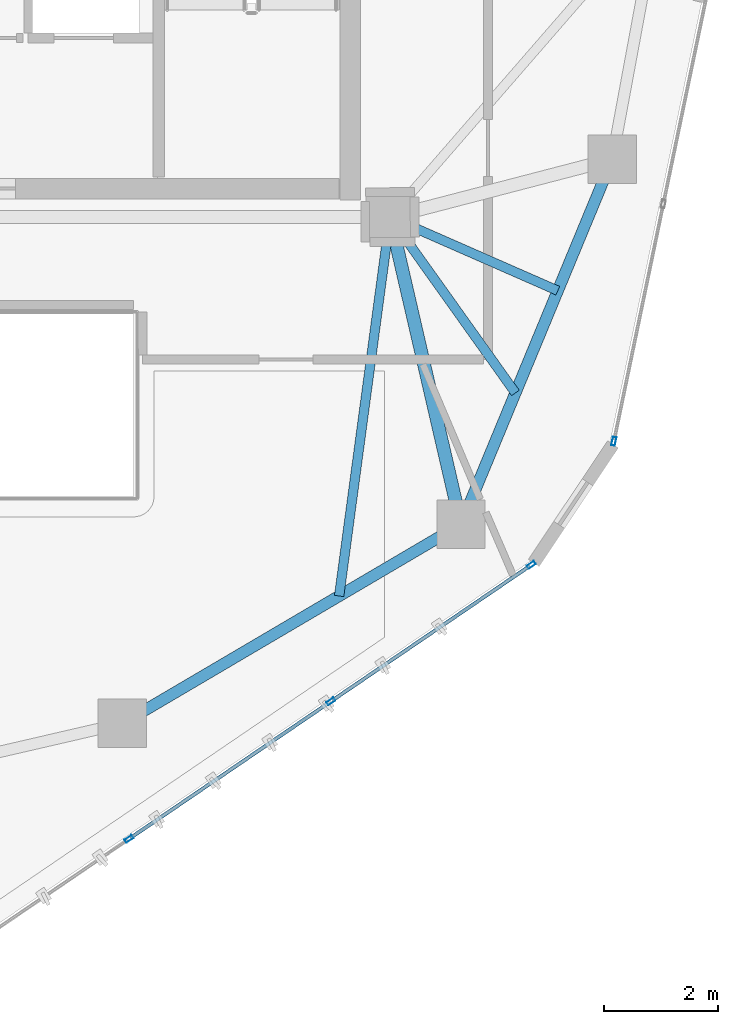
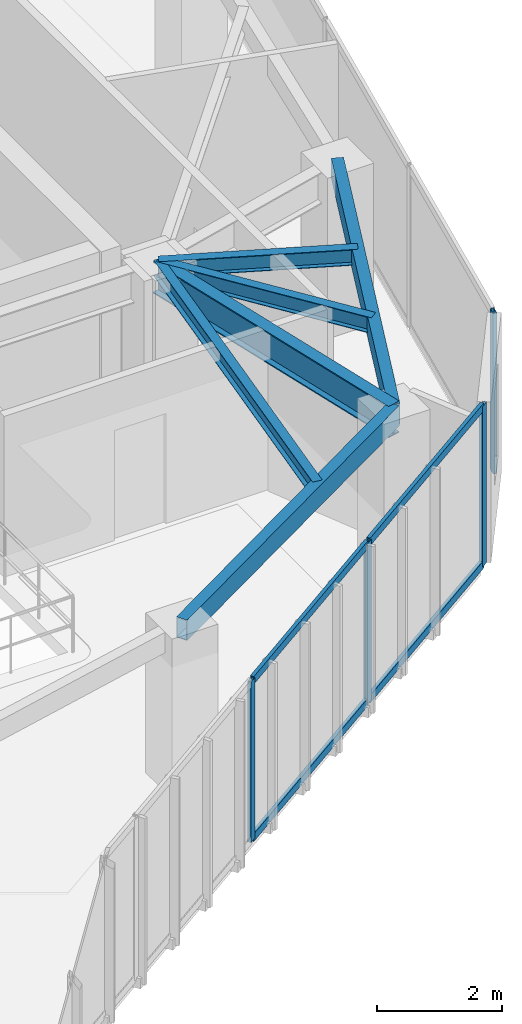
# One storey, part 6 of 20: 8 members, 6 beams, 2 elements without a shape of their own.
"""IFC4 building model written with IfcOpenShell, lengths in metres."""

from ifc_helpers import new_model, si_unit, direction, frame, origin, origin_2d, place, context, subcontext, project, spatial, hollow_rectangle, i_section, extrude, source, transform, mapped, material, layer, layer_set, material_profile, profile_set, type_object, type_shapes, element, aggregate, save


model = new_model("IFC4")

# Units and contexts
model_context = context("Model", 3, precision=1e-05, world=origin(), true_north=direction((0.0, 1.0)))
body_context = subcontext(model_context, "Body", "Model", "MODEL_VIEW")
ifc_project = project(units=[si_unit("LENGTHUNIT", "METRE"), si_unit("AREAUNIT", "SQUARE_METRE"), si_unit("VOLUMEUNIT", "CUBIC_METRE"), si_unit("PLANEANGLEUNIT", "RADIAN"), si_unit("MASSUNIT", "GRAM", prefix="KILO")], contexts=[model_context])

# Site, building, storey
site_placement = place(None, origin())
site = spatial("IfcSite", under=ifc_project, at=site_placement, CompositionType="ELEMENT")
building_placement = place(site_placement, origin())
building = spatial("IfcBuilding", under=site, at=building_placement, Name="Talar Marvaseh", CompositionType="ELEMENT")
storey_placement = place(building_placement, frame((0.0, 0.0, 244.199951171875)))
storey = spatial("IfcBuildingStorey", under=building, at=storey_placement, Name="L64", CompositionType="ELEMENT", Elevation=244.199951171875)

# Beams
ifc_material_1 = material(Name="Steel S355", Category="steel")
ifc_material_profile_1 = material_profile(ifc_material_1, hollow_rectangle(XDim=0.199951171875, YDim=0.39990234375, WallThickness=0.013916015625, at=origin_2d()), Name="RHS400x200x14")
ifc_profile_set_1 = profile_set([ifc_material_profile_1], Name="Steel S355")
beam_type_1 = type_object("IfcBeamType", Name="Zone 3 Perimeter Spandrel Beam RHS400x200x14", PredefinedType="SPANDREL", material=ifc_profile_set_1)
beam_1_placement = place(storey_placement, frame((37.197021484375, 26.513916015625, 2.93994140625), z_axis=(-0.382798740112, -0.923831762048, 0.0), x_axis=(0.923831762048, -0.382798740112, 0.0)))
element("IfcBeam", 1, at=beam_1_placement, inside=storey, type_object=beam_type_1, Name="L64 Zone 3 Perimeter Spandrel Beam RHS400x200x14", PredefinedType="SPANDREL", context=body_context, shape_type="SweptSolid", body=[
    extrude(hollow_rectangle(XDim=0.199951171875, YDim=0.39990234375, WallThickness=0.013916015625, at=origin_2d()), origin(), (0.0, 0.0, 1.0), 6.9306640625),
])
beam_2_placement = place(storey_placement, frame((34.5439453125, 20.111083984375, 2.93994140625), z_axis=(-0.861894136287, -0.507088254482, 0.0), x_axis=(0.507088254482, -0.861894136287, 0.0)))
element("IfcBeam", 2, at=beam_2_placement, inside=storey, type_object=beam_type_1, Name="L64 Zone 3 Perimeter Spandrel Beam RHS400x200x14", PredefinedType="SPANDREL", context=body_context, shape_type="SweptSolid", body=[
    extrude(hollow_rectangle(XDim=0.199951171875, YDim=0.39990234375, WallThickness=0.013916015625, at=origin_2d()), origin(), (0.0, 0.0, 1.0), 6.890625),
])
ifc_material_profile_2 = material_profile(ifc_material_1, i_section(OverallWidth=0.166015625, OverallDepth=0.31298828125, WebThickness=0.006591796875, FlangeThickness=0.01123046875, at=origin_2d()), Name="W310x45")
ifc_profile_set_2 = profile_set([ifc_material_profile_2], Name="Steel S355")
beam_type_2 = type_object("IfcBeamType", Name="Zone 3 Secondary Floor Joist W310x45", PredefinedType="JOIST", material=ifc_profile_set_2)
beam_3_placement = place(storey_placement, frame((36.241943359375, 24.208984375, 2.983642578125), z_axis=(-0.915706783714, 0.401847093135, 0.0), x_axis=(-0.401847093135, -0.915706783714, 0.0)))
element("IfcBeam", 3, at=beam_3_placement, inside=storey, type_object=beam_type_2, Name="L64 Zone 3 Secondary Floor Joist W310x45", PredefinedType="JOIST", context=body_context, shape_type="SweptSolid", body=[
    extrude(i_section(OverallWidth=0.166015625, OverallDepth=0.31298828125, WebThickness=0.006591796875, FlangeThickness=0.01123046875, at=origin_2d()), origin(), (0.0, 0.0, 1.0), 3.212646484375),
])
beam_4_placement = place(storey_placement, frame((35.4990234375, 22.416015625, 2.983642578125), z_axis=(-0.580561197682, 0.814216614757, 0.0), x_axis=(-0.814216614757, -0.580561197682, 0.0)))
element("IfcBeam", 4, at=beam_4_placement, inside=storey, type_object=beam_type_2, Name="L64 Zone 3 Secondary Floor Joist W310x45", PredefinedType="JOIST", context=body_context, shape_type="SweptSolid", body=[
    extrude(i_section(OverallWidth=0.166015625, OverallDepth=0.31298828125, WebThickness=0.006591796875, FlangeThickness=0.01123046875, at=origin_2d()), origin(), (0.0, 0.0, 1.0), 3.78759765625),
])
beam_5_placement = place(storey_placement, frame((32.406005859375, 18.853271484375, 2.983642578125), z_axis=(0.133308183872, 0.991074632968, 0.0), x_axis=(-0.991074632968, 0.133308183872, 0.0)))
element("IfcBeam", 5, at=beam_5_placement, inside=storey, type_object=beam_type_2, Name="L64 Zone 3 Secondary Floor Joist W310x45", PredefinedType="JOIST", context=body_context, shape_type="SweptSolid", body=[
    extrude(i_section(OverallWidth=0.166015625, OverallDepth=0.31298828125, WebThickness=0.006591796875, FlangeThickness=0.01123046875, at=origin_2d()), origin(), (0.0, 0.0, 1.0), 6.70654296875),
])
ifc_material_profile_3 = material_profile(ifc_material_1, i_section(OverallWidth=0.22998046875, OverallDepth=0.616943359375, WebThickness=0.01318359375, FlangeThickness=0.022216796875, at=origin_2d()), Name="W610x140")
ifc_profile_set_3 = profile_set([ifc_material_profile_3], Name="Steel S355")
beam_type_3 = type_object("IfcBeamType", Name="Zone 4 Radial Floor Girder W610x140", PredefinedType="BEAM", material=ifc_profile_set_3)
beam_6_placement = place(storey_placement, frame((34.5439453125, 20.111083984375, 2.83154296875), z_axis=(-0.22491108979, 0.974379290466, 0.0), x_axis=(-0.974379290466, -0.22491108979, 0.0)))
element("IfcBeam", 6, at=beam_6_placement, inside=storey, type_object=beam_type_3, Name="L64 Zone 4 Radial Floor Girder W610x140", PredefinedType="BEAM", context=body_context, shape_type="SweptSolid", body=[
    extrude(i_section(OverallWidth=0.22998046875, OverallDepth=0.616943359375, WebThickness=0.01318359375, FlangeThickness=0.022216796875, at=origin_2d()), origin(), (0.0, 0.0, 1.0), 5.530517578125),
])

# Curtain wall, members
ifc_material_2 = material(Name="Architectural Aluminium", Category="aluminium")
ifc_layer = layer(ifc_material_2, 0.179931640625)
ifc_layer_set = layer_set([ifc_layer], Name="Architectural Aluminium")
curtain_wall_type = type_object("IfcCurtainWallType", Name="Unitised High-Wind Sky Curtain Wall Z4", PredefinedType="NOTDEFINED", material=ifc_layer_set)
curtain_wall_1_placement = place(storey_placement, origin())
curtain_wall_1 = element("IfcCurtainWall", 7, at=curtain_wall_1_placement, inside=storey, type_object=curtain_wall_type, Name="L64 Unitised High-Wind Sky Curtain Wall Z4", PredefinedType="NOTDEFINED")
ifc_material_profile_4 = material_profile(ifc_material_2, hollow_rectangle(XDim=0.06494140625, YDim=0.14990234375, WallThickness=0.00390625, at=origin_2d()), Name="RHS150x65x4")
ifc_profile_set_4 = profile_set([ifc_material_profile_4], Name="Architectural Aluminium")
member_type_1 = type_object("IfcMemberType", Name="Unitised Curtain Wall Slim Transom RHS150x65x4", PredefinedType="USERDEFINED", material=ifc_profile_set_4)
shared_shape_1 = source(origin(), body_context, "Body", "SweptSolid", [
    extrude(hollow_rectangle(XDim=0.06494140625, YDim=0.14990234375, WallThickness=0.00390625, at=origin_2d()), origin(), (0.0, 0.0, 1.0), 4.18896484375),
])
member_1_placement = place(storey_placement, frame((35.750732421875, 19.380615234375, 0.032470703125), z_axis=(-0.82649481999, -0.562944324539, 0.0), x_axis=(0.562944324539, -0.82649481999, 0.0)))
member_1 = element("IfcMember", 8, at=member_1_placement, type_object=member_type_1, Name="CW-Z4 transom 1.1", ObjectType="TRANSOM", PredefinedType="USERDEFINED", context=body_context, shape_type="MappedRepresentation", body=[
    mapped(shared_shape_1, transform((0.0, 0.0, 0.0), x_axis=(1.0, 0.0, 0.0), y_axis=(0.0, 1.0, 0.0), z_axis=(0.0, 0.0, 1.0), scale=1.0)),
])
member_2_placement = place(storey_placement, frame((35.750732421875, 19.380615234375, 3.107666015625), z_axis=(-0.82649481999, -0.562944324539, 0.0), x_axis=(0.562944324539, -0.82649481999, 0.0)))
member_2 = element("IfcMember", 9, at=member_2_placement, type_object=member_type_1, Name="CW-Z4 transom 1.2", ObjectType="TRANSOM", PredefinedType="USERDEFINED", context=body_context, shape_type="MappedRepresentation", body=[
    mapped(shared_shape_1, transform((0.0, 0.0, 0.0), x_axis=(1.0, 0.0, 0.0), y_axis=(0.0, 1.0, 0.0), z_axis=(0.0, 0.0, 1.0), scale=1.0)),
])
shared_shape_2 = source(origin(), body_context, "Body", "SweptSolid", [
    extrude(hollow_rectangle(XDim=0.06494140625, YDim=0.14990234375, WallThickness=0.00390625, at=origin_2d()), origin(), (0.0, 0.0, 1.0), 4.22119140625),
])
type_shapes(member_type_1, [shared_shape_1, shared_shape_2])
member_3_placement = place(storey_placement, frame((32.23486328125, 16.98583984375, 0.032470703125), z_axis=(-0.826501342066, -0.562934748939, 0.0), x_axis=(0.562934748939, -0.826501342066, 0.0)))
member_3 = element("IfcMember", 10, at=member_3_placement, type_object=member_type_1, Name="CW-Z4 transom 2.1", ObjectType="TRANSOM", PredefinedType="USERDEFINED", context=body_context, shape_type="MappedRepresentation", body=[
    mapped(shared_shape_2, transform((0.0, 0.0, 0.0), x_axis=(1.0, 0.0, 0.0), y_axis=(0.0, 1.0, 0.0), z_axis=(0.0, 0.0, 1.0), scale=1.0)),
])
member_4_placement = place(storey_placement, frame((32.23486328125, 16.98583984375, 3.107666015625), z_axis=(-0.826501342066, -0.562934748939, 0.0), x_axis=(0.562934748939, -0.826501342066, 0.0)))
member_4 = element("IfcMember", 11, at=member_4_placement, type_object=member_type_1, Name="CW-Z4 transom 2.2", ObjectType="TRANSOM", PredefinedType="USERDEFINED", context=body_context, shape_type="MappedRepresentation", body=[
    mapped(shared_shape_2, transform((0.0, 0.0, 0.0), x_axis=(1.0, 0.0, 0.0), y_axis=(0.0, 1.0, 0.0), z_axis=(0.0, 0.0, 1.0), scale=1.0)),
])

# Curtain wall, member
curtain_wall_2_placement = place(storey_placement, origin())
curtain_wall_2 = element("IfcCurtainWall", 12, at=curtain_wall_2_placement, inside=storey, type_object=curtain_wall_type, Name="L64 Unitised High-Wind Sky Curtain Wall Z4", PredefinedType="NOTDEFINED")
ifc_material_profile_5 = material_profile(ifc_material_2, hollow_rectangle(XDim=0.06494140625, YDim=0.14990234375, WallThickness=0.00390625, at=origin_2d()), Name="RHS150x65x4")
ifc_profile_set_5 = profile_set([ifc_material_profile_5], Name="Architectural Aluminium")
member_type_2 = type_object("IfcMemberType", Name="Unitised Curtain Wall Slim Mullion RHS150x65x4", PredefinedType="MULLION", material=ifc_profile_set_5)
shared_shape_3 = source(origin(), body_context, "Body", "SweptSolid", [
    extrude(hollow_rectangle(XDim=0.06494140625, YDim=0.14990234375, WallThickness=0.00390625, at=origin_2d()), origin(), (0.0, 0.0, 1.0), 3.14013671875),
])
type_shapes(member_type_2, [shared_shape_3])
member_5_placement = place(storey_placement, frame((37.226318359375, 21.567138671875, 0.0), z_axis=(0.0, 0.0, 1.0), x_axis=(0.979014373076, -0.203791210093, 0.0)))
member_5 = element("IfcMember", 13, at=member_5_placement, type_object=member_type_2, Name="CW-Z4 mullion 5", PredefinedType="MULLION", context=body_context, shape_type="MappedRepresentation", body=[
    mapped(shared_shape_3, transform((0.0, 0.0, 0.0), x_axis=(1.0, 0.0, 0.0), y_axis=(0.0, 1.0, 0.0), z_axis=(0.0, 0.0, 1.0), scale=1.0)),
])
aggregate(curtain_wall_2, [member_5])

# Member
member_6_placement = place(storey_placement, frame((35.777587890625, 19.39892578125, 0.0), z_axis=(0.0, 0.0, 1.0), x_axis=(0.562933164702, -0.826502421097, 0.0)))
member_6 = element("IfcMember", 14, at=member_6_placement, type_object=member_type_2, Name="CW-Z4 mullion 1", PredefinedType="MULLION", context=body_context, shape_type="MappedRepresentation", body=[
    mapped(shared_shape_3, transform((0.0, 0.0, 0.0), x_axis=(1.0, 0.0, 0.0), y_axis=(0.0, 1.0, 0.0), z_axis=(0.0, 0.0, 1.0), scale=1.0)),
])

member_7_placement = place(storey_placement, frame((32.26171875, 17.004150390625, 0.0), z_axis=(0.0, 0.0, 1.0), x_axis=(0.562933164702, -0.826502421097, 0.0)))
member_7 = element("IfcMember", 15, at=member_7_placement, type_object=member_type_2, Name="CW-Z4 mullion 2", PredefinedType="MULLION", context=body_context, shape_type="MappedRepresentation", body=[
    mapped(shared_shape_3, transform((0.0, 0.0, 0.0), x_axis=(1.0, 0.0, 0.0), y_axis=(0.0, 1.0, 0.0), z_axis=(0.0, 0.0, 1.0), scale=1.0)),
])

member_8_placement = place(storey_placement, frame((28.71923828125, 14.59130859375, 0.0), z_axis=(0.0, 0.0, 1.0), x_axis=(0.562933164702, -0.826502421097, 0.0)))
member_8 = element("IfcMember", 16, at=member_8_placement, type_object=member_type_2, Name="CW-Z4 mullion 3", PredefinedType="MULLION", context=body_context, shape_type="MappedRepresentation", body=[
    mapped(shared_shape_3, transform((0.0, 0.0, 0.0), x_axis=(1.0, 0.0, 0.0), y_axis=(0.0, 1.0, 0.0), z_axis=(0.0, 0.0, 1.0), scale=1.0)),
])

aggregate(curtain_wall_1, [member_6, member_7, member_8, member_1, member_2, member_3, member_4])

save(model, "model.ifc")
